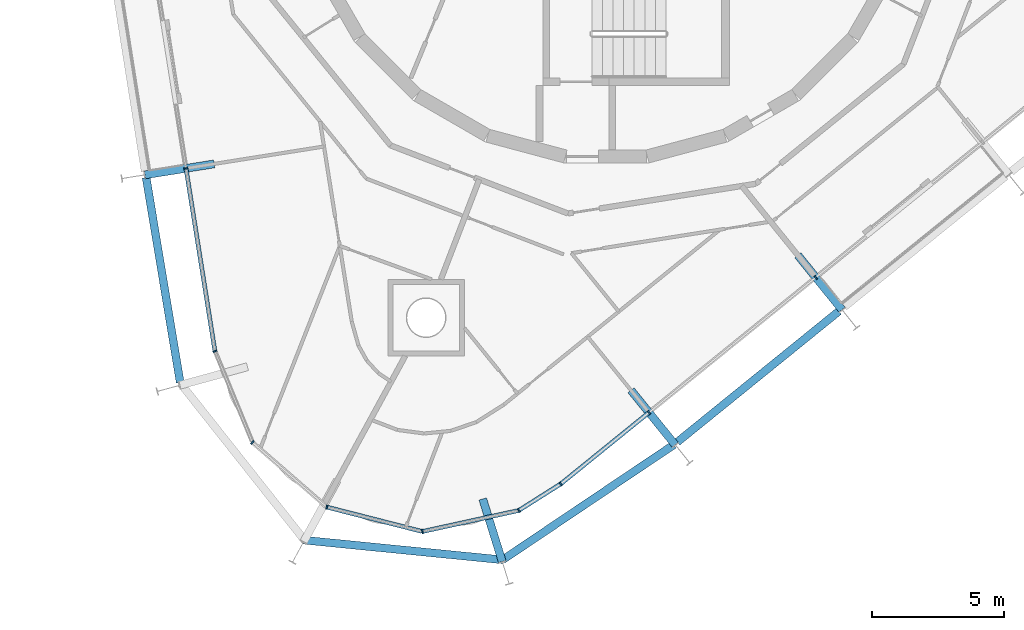
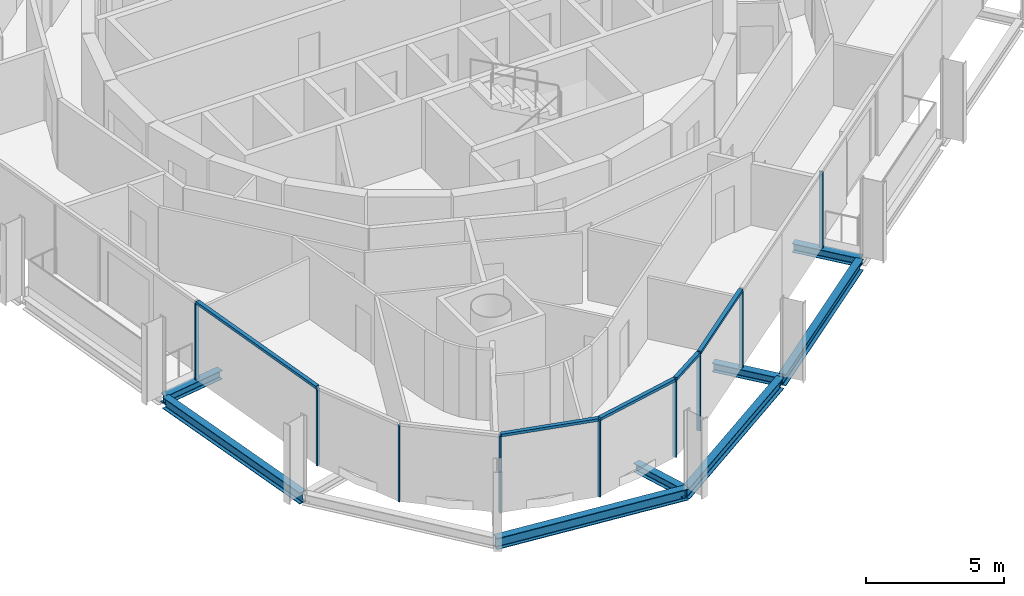
# One storey, part 2 of 17: 14 members, 8 beams, 2 elements without a shape of their own.
"""IFC4 building model written with IfcOpenShell, lengths in metres."""

from ifc_helpers import new_model, si_unit, direction, frame, origin, origin_2d, place, context, subcontext, project, spatial, rectangle, i_section, extrude, material, layer, layer_set, material_profile, profile_set, type_object, element, aggregate, save


model = new_model("IFC4")

# Units and contexts
model_context = context("Model", 3, precision=1e-05, world=origin(), true_north=direction((0.0, 1.0)))
body_context = subcontext(model_context, "Body", "Model", "MODEL_VIEW")
ifc_project = project(units=[si_unit("LENGTHUNIT", "METRE"), si_unit("AREAUNIT", "SQUARE_METRE"), si_unit("VOLUMEUNIT", "CUBIC_METRE"), si_unit("PLANEANGLEUNIT", "RADIAN"), si_unit("MASSUNIT", "GRAM", prefix="KILO")], contexts=[model_context])

# Site, building, storey
site_placement = place(None, origin())
site = spatial("IfcSite", under=ifc_project, at=site_placement, CompositionType="ELEMENT")
building_placement = place(site_placement, origin())
building = spatial("IfcBuilding", under=site, at=building_placement, Name="Spindle Arch Residences", CompositionType="ELEMENT")
storey_placement = place(building_placement, frame((0.0, 0.0, 266.89990234375)))
storey = spatial("IfcBuildingStorey", under=building, at=storey_placement, Name="L68", CompositionType="ELEMENT", Elevation=266.89990234375)

# Curtain wall, members
ifc_material_1 = material(Name="Aluminium bronze unitised frame with tinted glass", Category="aluminium")
ifc_layer_1 = layer(ifc_material_1, 0.159912109375)
ifc_layer_set_1 = layer_set([ifc_layer_1], Name="CW-D corner wall on the fillet arcs")
curtain_wall_type_1 = type_object("IfcCurtainWallType", Name="CW-D corner wall on the fillet arcs", PredefinedType="NOTDEFINED", material=ifc_layer_set_1)
curtain_wall_1_placement = place(storey_placement, origin())
curtain_wall_1 = element("IfcCurtainWall", 1, at=curtain_wall_1_placement, inside=storey, type_object=curtain_wall_type_1, Name="CW-D L68 run 5", PredefinedType="NOTDEFINED")
ifc_material_2 = material(Name="Aluminium bronze anodised mullion", Category="aluminium")
ifc_material_profile_1 = material_profile(ifc_material_2, rectangle(XDim=0.159912109375, YDim=0.06005859375, at=origin_2d()), Name="MU 60x160")
ifc_profile_set_1 = profile_set([ifc_material_profile_1], Name="Aluminium bronze anodised mullion")
member_type_1 = type_object("IfcMemberType", Name="Bronze mullion 60x160", PredefinedType="MULLION", material=ifc_profile_set_1)
member_1_placement = place(storey_placement, frame((-15.880615234375, -12.092041015625, -0.3798828125), z_axis=(0.0, 0.0, 1.0), x_axis=(0.987688340595, 0.15643446504, 0.0)))
member_1 = element("IfcMember", 2, at=member_1_placement, type_object=member_type_1, Name="CW-D mullion 00", PredefinedType="MULLION", context=body_context, shape_type="SweptSolid", body=[
    extrude(rectangle(XDim=0.159912109375, YDim=0.06005859375, at=origin_2d()), origin(), (0.0, 0.0, 1.0), 3.3798828125),
])
member_2_placement = place(storey_placement, frame((-14.787109375, -18.99560546875, -0.3798828125), z_axis=(0.0, 0.0, 1.0), x_axis=(0.92498880334, 0.379994360085, 0.0)))
member_2 = element("IfcMember", 3, at=member_2_placement, type_object=member_type_1, Name="CW-D mullion 01", PredefinedType="MULLION", context=body_context, shape_type="SweptSolid", body=[
    extrude(rectangle(XDim=0.159912109375, YDim=0.06005859375, at=origin_2d()), origin(), (0.0, 0.0, 1.0), 3.3798828125),
])
member_3_placement = place(storey_placement, frame((-13.370849609375, -22.44287109375, -0.3798828125), z_axis=(0.0, 0.0, 1.0), x_axis=(0.656059025711, 0.754709583074, 0.0)))
member_3 = element("IfcMember", 4, at=member_3_placement, type_object=member_type_1, Name="CW-D mullion 02", PredefinedType="MULLION", context=body_context, shape_type="SweptSolid", body=[
    extrude(rectangle(XDim=0.159912109375, YDim=0.06005859375, at=origin_2d()), origin(), (0.0, 0.0, 1.0), 3.3798828125),
])
member_4_placement = place(storey_placement, frame((-10.558349609375, -24.887939453125, -0.3798828125), z_axis=(0.0, 0.0, 1.0), x_axis=(0.247562720743, 0.968871869392, 0.0)))
member_4 = element("IfcMember", 5, at=member_4_placement, type_object=member_type_1, Name="CW-D mullion 03", PredefinedType="MULLION", context=body_context, shape_type="SweptSolid", body=[
    extrude(rectangle(XDim=0.159912109375, YDim=0.06005859375, at=origin_2d()), origin(), (0.0, 0.0, 1.0), 3.3798828125),
])
member_5_placement = place(storey_placement, frame((-6.947509765625, -25.810546875, -0.3798828125), z_axis=(0.0, 0.0, 1.0), x_axis=(-0.213598770213, 0.976921473489, 0.0)))
member_5 = element("IfcMember", 6, at=member_5_placement, type_object=member_type_1, Name="CW-D mullion 04", PredefinedType="MULLION", context=body_context, shape_type="SweptSolid", body=[
    extrude(rectangle(XDim=0.159912109375, YDim=0.06005859375, at=origin_2d()), origin(), (0.0, 0.0, 1.0), 3.3798828125),
])
member_6_placement = place(storey_placement, frame((-3.306884765625, -25.014404296875, -0.3798828125), z_axis=(0.0, 0.0, 1.0), x_axis=(-0.53484401224, 0.844950816658, 0.0)))
member_6 = element("IfcMember", 7, at=member_6_placement, type_object=member_type_1, Name="CW-D mullion 05", PredefinedType="MULLION", context=body_context, shape_type="SweptSolid", body=[
    extrude(rectangle(XDim=0.159912109375, YDim=0.06005859375, at=origin_2d()), origin(), (0.0, 0.0, 1.0), 3.3798828125),
])
member_7_placement = place(storey_placement, frame((-1.7216796875, -24.010986328125, -0.3798828125), z_axis=(0.0, 0.0, 1.0), x_axis=(-0.62932039105, 0.777145961457, 0.0)))
member_7 = element("IfcMember", 8, at=member_7_placement, type_object=member_type_1, Name="CW-D mullion 06", PredefinedType="MULLION", context=body_context, shape_type="SweptSolid", body=[
    extrude(rectangle(XDim=0.159912109375, YDim=0.06005859375, at=origin_2d()), origin(), (0.0, 0.0, 1.0), 3.3798828125),
])

ifc_material_3 = material(Name="Aluminium bronze unitised frame with tinted glass", Category="aluminium")
ifc_layer_2 = layer(ifc_material_3, 0.159912109375)
ifc_layer_set_2 = layer_set([ifc_layer_2], Name="CW-C typical residential unitised wall")
curtain_wall_type_2 = type_object("IfcCurtainWallType", Name="CW-C typical residential unitised wall", PredefinedType="NOTDEFINED", material=ifc_layer_set_2)
curtain_wall_2_placement = place(storey_placement, origin())
curtain_wall_2 = element("IfcCurtainWall", 9, at=curtain_wall_2_placement, inside=storey, type_object=curtain_wall_type_2, Name="CW-C L68 run 6", PredefinedType="NOTDEFINED")
member_8_placement = place(storey_placement, frame((1.610107421875, -21.31298828125, -0.3798828125), z_axis=(0.0, 0.0, 1.0), x_axis=(-0.62932039105, 0.777145961457, 0.0)))
member_8 = element("IfcMember", 10, at=member_8_placement, type_object=member_type_1, Name="CW-C mullion 18", PredefinedType="MULLION", context=body_context, shape_type="SweptSolid", body=[
    extrude(rectangle(XDim=0.159912109375, YDim=0.06005859375, at=origin_2d()), origin(), (0.0, 0.0, 1.0), 3.3798828125),
])
member_9_placement = place(storey_placement, frame((7.910888671875, -16.210693359375, -0.3798828125), z_axis=(0.0, 0.0, 1.0), x_axis=(-0.62932039105, 0.777145961457, 0.0)))
member_9 = element("IfcMember", 11, at=member_9_placement, type_object=member_type_1, Name="CW-C mullion 19", PredefinedType="MULLION", context=body_context, shape_type="SweptSolid", body=[
    extrude(rectangle(XDim=0.159912109375, YDim=0.06005859375, at=origin_2d()), origin(), (0.0, 0.0, 1.0), 3.3798828125),
])
aggregate(curtain_wall_2, [member_8, member_9])

# Member
ifc_material_4 = material(Name="Aluminium bronze anodised transom", Category="aluminium")
ifc_material_profile_2 = material_profile(ifc_material_4, rectangle(XDim=0.159912109375, YDim=0.1201171875, at=origin_2d()), Name="TR 120x160")
ifc_profile_set_2 = profile_set([ifc_material_profile_2], Name="Aluminium bronze anodised transom")
member_type_2 = type_object("IfcMemberType", Name="Bronze transom 120x160", PredefinedType="USERDEFINED", material=ifc_profile_set_2)
member_10_placement = place(storey_placement, frame((-15.875732421875, -12.12158203125, 3.06005859375), z_axis=(0.156423886955, -0.987690015941, 0.0), x_axis=(0.987690015941, 0.156423886955, 0.0)))
member_10 = element("IfcMember", 12, at=member_10_placement, type_object=member_type_2, Name="CW-D transom 00", ObjectType="TRANSOM", PredefinedType="USERDEFINED", context=body_context, shape_type="SweptSolid", body=[
    extrude(rectangle(XDim=0.159912109375, YDim=0.1201171875, at=origin_2d()), origin(), (0.0, 0.0, 1.0), 6.9296875),
])

member_11_placement = place(storey_placement, frame((-10.529296875, -24.895263671875, 3.06005859375), z_axis=(0.968876271824, -0.247545490561, 0.0), x_axis=(0.247545490561, 0.968876271824, 0.0)))
member_11 = element("IfcMember", 13, at=member_11_placement, type_object=member_type_2, Name="CW-D transom 03", ObjectType="TRANSOM", PredefinedType="USERDEFINED", context=body_context, shape_type="SweptSolid", body=[
    extrude(rectangle(XDim=0.159912109375, YDim=0.1201171875, at=origin_2d()), origin(), (0.0, 0.0, 1.0), 3.666748046875),
])

member_12_placement = place(storey_placement, frame((-6.918212890625, -25.803955078125, 3.06005859375), z_axis=(0.976920862917, 0.213601562721, 0.0), x_axis=(-0.213601562721, 0.976920862917, 0.0)))
member_12 = element("IfcMember", 14, at=member_12_placement, type_object=member_type_2, Name="CW-D transom 04", ObjectType="TRANSOM", PredefinedType="USERDEFINED", context=body_context, shape_type="SweptSolid", body=[
    extrude(rectangle(XDim=0.159912109375, YDim=0.1201171875, at=origin_2d()), origin(), (0.0, 0.0, 1.0), 3.666748046875),
])

member_13_placement = place(storey_placement, frame((-3.281494140625, -24.998291015625, 3.06005859375), z_axis=(0.844970968959, 0.534812174148, 0.0), x_axis=(-0.534812174148, 0.844970968959, 0.0)))
member_13 = element("IfcMember", 15, at=member_13_placement, type_object=member_type_2, Name="CW-D transom 05", ObjectType="TRANSOM", PredefinedType="USERDEFINED", context=body_context, shape_type="SweptSolid", body=[
    extrude(rectangle(XDim=0.159912109375, YDim=0.1201171875, at=origin_2d()), origin(), (0.0, 0.0, 1.0), 1.81591796875),
])

member_14_placement = place(storey_placement, frame((-1.6982421875, -23.9921875, 3.06005859375), z_axis=(0.777130537676, 0.629339437356, 0.0), x_axis=(-0.629339437356, 0.777130537676, 0.0)))
member_14 = element("IfcMember", 16, at=member_14_placement, type_object=member_type_2, Name="CW-D transom 06", ObjectType="TRANSOM", PredefinedType="USERDEFINED", context=body_context, shape_type="SweptSolid", body=[
    extrude(rectangle(XDim=0.159912109375, YDim=0.1201171875, at=origin_2d()), origin(), (0.0, 0.0, 1.0), 4.227294921875),
])

aggregate(curtain_wall_1, [member_1, member_10, member_2, member_3, member_4, member_11, member_5, member_12, member_6, member_13, member_7, member_14])

# Beams
ifc_material_5 = material(Name="Steel S460ML, intumescent coating R 120", Category="steel")
ifc_material_profile_3 = material_profile(ifc_material_5, i_section(OverallWidth=0.300048828125, OverallDepth=0.5, WebThickness=0.014404296875, FlangeThickness=0.028076171875, FilletRadius=0.027099609375, at=origin_2d()), Name="HEB 500")
ifc_profile_set_3 = profile_set([ifc_material_profile_3], Name="Steel S460ML, intumescent coating R 120")
beam_type_1 = type_object("IfcBeamType", Name="Exoskeleton edge beam HEB 500", PredefinedType="BEAM", material=ifc_profile_set_3)
beam_1_placement = place(storey_placement, frame((-17.385009765625, -12.43505859375, -0.6298828125), z_axis=(0.16393470778, -0.986471191462, 0.0), x_axis=(0.986471191462, 0.16393470778, 0.0)))
element("IfcBeam", 17, at=beam_1_placement, inside=storey, type_object=beam_type_1, Name="Exoskeleton edge beam 15", PredefinedType="BEAM", context=body_context, shape_type="SweptSolid", body=[
    extrude(i_section(OverallWidth=0.300048828125, OverallDepth=0.5, WebThickness=0.014404296875, FlangeThickness=0.028076171875, FilletRadius=0.027099609375, at=origin_2d()), origin(), (0.0, 0.0, 1.0), 7.845458984375),
])
beam_2_placement = place(storey_placement, frame((-11.474609375, -26.12890625, -0.6298828125), z_axis=(0.99510851629, -0.098787857593, 0.0), x_axis=(0.098787857593, 0.99510851629, 0.0)))
element("IfcBeam", 18, at=beam_2_placement, inside=storey, type_object=beam_type_1, Name="Exoskeleton edge beam 17", PredefinedType="BEAM", context=body_context, shape_type="SweptSolid", body=[
    extrude(i_section(OverallWidth=0.300048828125, OverallDepth=0.5, WebThickness=0.014404296875, FlangeThickness=0.028076171875, FilletRadius=0.027099609375, at=origin_2d()), origin(), (0.0, 0.0, 1.0), 7.631591796875),
])
beam_3_placement = place(storey_placement, frame((-3.9169921875, -26.877685546875, -0.6298828125), z_axis=(0.829907876947, 0.557900453291, 0.0), x_axis=(-0.557900453291, 0.829907876947, 0.0)))
element("IfcBeam", 19, at=beam_3_placement, inside=storey, type_object=beam_type_1, Name="Exoskeleton edge beam 18", PredefinedType="BEAM", context=body_context, shape_type="SweptSolid", body=[
    extrude(i_section(OverallWidth=0.300048828125, OverallDepth=0.5, WebThickness=0.014404296875, FlangeThickness=0.028076171875, FilletRadius=0.027099609375, at=origin_2d()), origin(), (0.0, 0.0, 1.0), 7.7890625),
])
beam_4_placement = place(storey_placement, frame((2.680419921875, -22.427978515625, -0.6298828125), z_axis=(0.777152125993, 0.629312778406, 0.0), x_axis=(-0.629312778406, 0.777152125993, 0.0)))
element("IfcBeam", 20, at=beam_4_placement, inside=storey, type_object=beam_type_1, Name="Exoskeleton edge beam 19", PredefinedType="BEAM", context=body_context, shape_type="SweptSolid", body=[
    extrude(i_section(OverallWidth=0.300048828125, OverallDepth=0.5, WebThickness=0.014404296875, FlangeThickness=0.028076171875, FilletRadius=0.027099609375, at=origin_2d()), origin(), (0.0, 0.0, 1.0), 7.847412109375),
])
ifc_material_6 = material(Name="Steel S460ML, intumescent coating R 120", Category="steel")
ifc_material_profile_4 = material_profile(ifc_material_6, i_section(OverallWidth=0.300048828125, OverallDepth=0.389892578125, WebThickness=0.010986328125, FlangeThickness=0.01904296875, FilletRadius=0.027099609375, at=origin_2d()), Name="HEA 400")
ifc_profile_set_4 = profile_set([ifc_material_profile_4], Name="Steel S460ML, intumescent coating R 120")
beam_type_2 = type_object("IfcBeamType", Name="Floor outrigger HEA 400", PredefinedType="BEAM", material=ifc_profile_set_4)
beam_5_placement = place(storey_placement, frame((-17.43115234375, -12.337646484375, -0.574951171875), z_axis=(0.987688904051, 0.156430907479, 0.0), x_axis=(-0.156430907479, 0.987688904051, 0.0)))
element("IfcBeam", 21, at=beam_5_placement, inside=storey, type_object=beam_type_2, Name="Floor outrigger 15", PredefinedType="BEAM", context=body_context, shape_type="SweptSolid", body=[
    extrude(i_section(OverallWidth=0.300048828125, OverallDepth=0.389892578125, WebThickness=0.010986328125, FlangeThickness=0.01904296875, FilletRadius=0.027099609375, at=origin_2d()), origin(), (0.0, 0.0, 1.0), 2.650146484375),
])
beam_6_placement = place(storey_placement, frame((-3.932373046875, -26.943603515625, -0.574951171875), z_axis=(-0.297848736129, 0.954613078889, 0.0), x_axis=(-0.954613078889, -0.297848736129, 0.0)))
element("IfcBeam", 22, at=beam_6_placement, inside=storey, type_object=beam_type_2, Name="Floor outrigger 18", PredefinedType="BEAM", context=body_context, shape_type="SweptSolid", body=[
    extrude(i_section(OverallWidth=0.300048828125, OverallDepth=0.389892578125, WebThickness=0.010986328125, FlangeThickness=0.01904296875, FilletRadius=0.027099609375, at=origin_2d()), origin(), (0.0, 0.0, 1.0), 2.478759765625),
])
for number, where, z_axis, x_axis, name in (
    (23, (2.59814453125, -22.533203125, -0.574951171875), (-0.629301579077, 0.777161194715, 0.0), (-0.777161194715, -0.629301579077, 0.0), "Floor outrigger 19"),
    (24, (8.89892578125, -17.430908203125, -0.574951171875), (-0.629301579077, 0.777161194715, 0.0), (-0.777161194715, -0.629301579077, 0.0), "Floor outrigger 20"),
):
    element("IfcBeam", number, at=place(storey_placement, frame(where, z_axis=z_axis, x_axis=x_axis)), inside=storey, type_object=beam_type_2, Name=name, PredefinedType="BEAM", context=body_context, shape_type="SweptSolid", body=[
        extrude(i_section(OverallWidth=0.300048828125, OverallDepth=0.389892578125, WebThickness=0.010986328125, FlangeThickness=0.01904296875, FilletRadius=0.027099609375, at=origin_2d()), origin(), (0.0, 0.0, 1.0), 2.650146484375),
    ])

save(model, "model.ifc")
